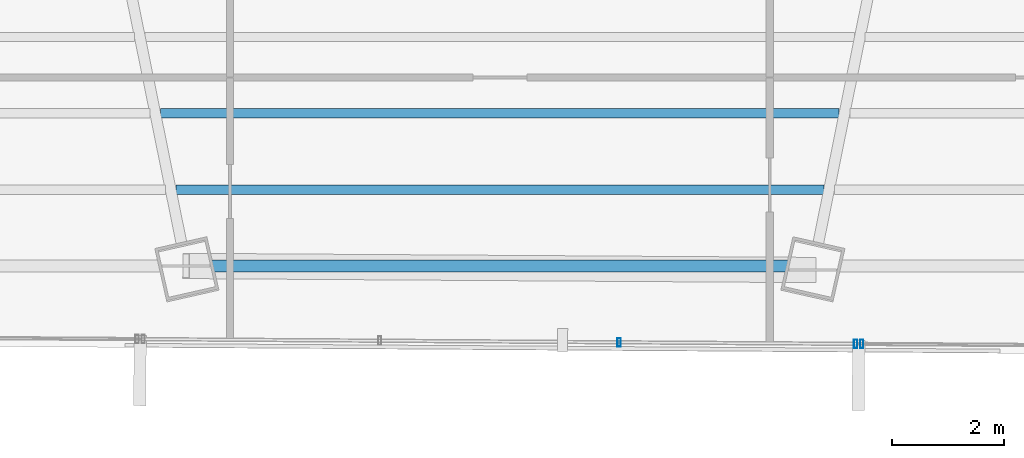
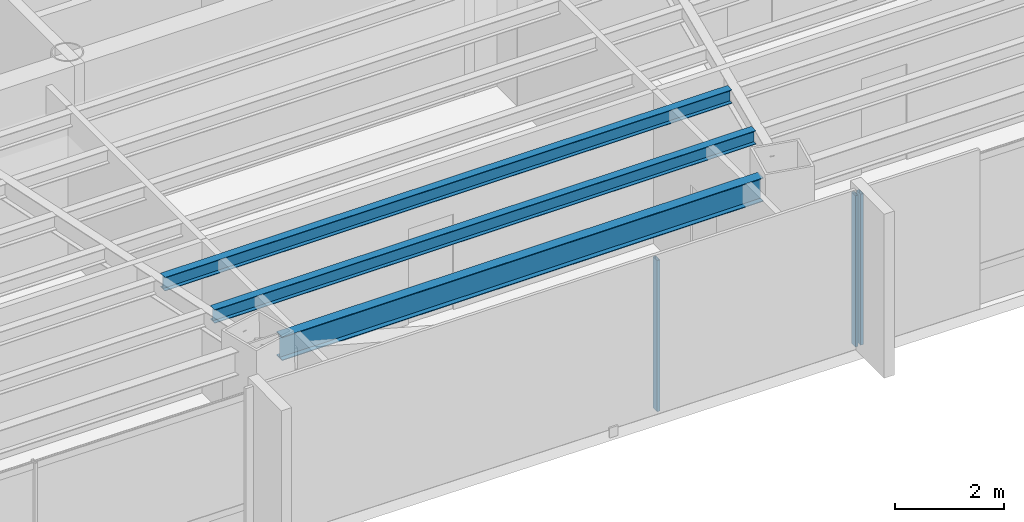
# One storey, part 10 of 41: 3 beams, 3 members, 2 elements without a shape of their own.
"""IFC4 building model written with IfcOpenShell, lengths in metres."""

from ifc_helpers import new_model, si_unit, direction, frame, origin, origin_2d, place, context, subcontext, project, spatial, hollow_rectangle, i_section, extrude, source, transform, mapped, material, material_profile, profile_set, type_object, type_shapes, element, aggregate, save


model = new_model("IFC4")

# Units and contexts
model_context = context("Model", 3, precision=1e-05, world=origin(), true_north=direction((0.0, 1.0)))
body_context = subcontext(model_context, "Body", "Model", "MODEL_VIEW")
ifc_project = project(units=[si_unit("LENGTHUNIT", "METRE"), si_unit("AREAUNIT", "SQUARE_METRE"), si_unit("VOLUMEUNIT", "CUBIC_METRE"), si_unit("PLANEANGLEUNIT", "RADIAN"), si_unit("MASSUNIT", "GRAM", prefix="KILO")], contexts=[model_context])

# Site, building, storey
site_placement = place(None, origin())
site = spatial("IfcSite", under=ifc_project, at=site_placement, CompositionType="ELEMENT")
building_placement = place(site_placement, origin())
building = spatial("IfcBuilding", under=site, at=building_placement, Name="Caelisora Broadcast Tower", CompositionType="ELEMENT")
storey_placement = place(building_placement, frame((0.0, 0.0, 180.39990234375)))
storey = spatial("IfcBuildingStorey", under=building, at=storey_placement, Name="L47", CompositionType="ELEMENT", Elevation=180.39990234375)

# Beams
ifc_material_1 = material(Name="Steel Grade 350 (AS/NZS 3679.1)", Category="steel")
ifc_material_profile_1 = material_profile(ifc_material_1, i_section(OverallWidth=0.208984375, OverallDepth=0.532958984375, WebThickness=0.01025390625, FlangeThickness=0.015625, at=origin_2d()), Name="Steel Grade 350 (AS/NZS 3679.1)")
ifc_profile_set_1 = profile_set([ifc_material_profile_1], Name="Steel Grade 350 (AS/NZS 3679.1)")
beam_type_1 = type_object("IfcBeamType", Name="PG05", PredefinedType="BEAM", material=ifc_profile_set_1)
shared_shape_1 = source(origin(), body_context, "Body", "SweptSolid", [
    extrude(i_section(OverallWidth=0.208984375, OverallDepth=0.532958984375, WebThickness=0.01025390625, FlangeThickness=0.015625, at=origin_2d()), origin(), (0.0, 0.0, 1.0), 10.23974609375),
])
type_shapes(beam_type_1, [shared_shape_1])
beam_1_placement = place(storey_placement, frame((32.880126953125, 7.89892578125, 3.133544921875), z_axis=(1.0, 0.0, 0.0), x_axis=(0.0, 1.0, 0.0)))
element("IfcBeam", 1, at=beam_1_placement, inside=storey, type_object=beam_type_1, Name="L47 beam PG05", PredefinedType="BEAM", context=body_context, shape_type="MappedRepresentation", body=[
    mapped(shared_shape_1, transform((0.0, 0.0, 0.0), scale=1.0)),
])
ifc_material_profile_2 = material_profile(ifc_material_1, i_section(OverallWidth=0.166015625, OverallDepth=0.30712890625, WebThickness=0.006591796875, FlangeThickness=0.01171875, at=origin_2d()), Name="Steel Grade 350 (AS/NZS 3679.1)")
ifc_profile_set_2 = profile_set([ifc_material_profile_2], Name="Steel Grade 350 (AS/NZS 3679.1)")
beam_type_2 = type_object("IfcBeamType", Name="SB03", PredefinedType="JOIST", material=ifc_profile_set_2)
shared_shape_2 = source(origin(), body_context, "Body", "SweptSolid", [
    extrude(i_section(OverallWidth=0.166015625, OverallDepth=0.30712890625, WebThickness=0.006591796875, FlangeThickness=0.01171875, at=origin_2d()), origin(), (0.0, 0.0, 1.0), 12.06787109375),
])
beam_2_placement = place(storey_placement, frame((31.966064453125, 10.613525390625, 3.24658203125), z_axis=(1.0, 0.0, 0.0), x_axis=(0.0, 1.0, 0.0)))
element("IfcBeam", 2, at=beam_2_placement, inside=storey, type_object=beam_type_2, Name="L47 beam SB03", PredefinedType="JOIST", context=body_context, shape_type="MappedRepresentation", body=[
    mapped(shared_shape_2, transform((0.0, 0.0, 0.0), scale=1.0)),
])
shared_shape_3 = source(origin(), body_context, "Body", "SweptSolid", [
    extrude(i_section(OverallWidth=0.166015625, OverallDepth=0.30712890625, WebThickness=0.006591796875, FlangeThickness=0.01171875, at=origin_2d()), origin(), (0.0, 0.0, 1.0), 11.51953125),
])
type_shapes(beam_type_2, [shared_shape_2, shared_shape_3])
beam_3_placement = place(storey_placement, frame((32.240234375, 9.256103515625, 3.24658203125), z_axis=(1.0, 0.0, 0.0), x_axis=(0.0, 1.0, 0.0)))
element("IfcBeam", 3, at=beam_3_placement, inside=storey, type_object=beam_type_2, Name="L47 beam SB03", PredefinedType="JOIST", context=body_context, shape_type="MappedRepresentation", body=[
    mapped(shared_shape_3, transform((0.0, 0.0, 0.0), scale=1.0)),
])

# Curtain wall, member
ifc_material_2 = material(Name="Unitised Aluminium and Low-E Glass Curtain Wall", Category="glass")
curtain_wall_type_1 = type_object("IfcCurtainWallType", Name="CW-Z3", PredefinedType="NOTDEFINED", material=ifc_material_2)
curtain_wall_1_placement = place(storey_placement, origin())
curtain_wall_1 = element("IfcCurtainWall", 4, at=curtain_wall_1_placement, inside=storey, type_object=curtain_wall_type_1, Name="L47 curtain wall CW-Z3", PredefinedType="NOTDEFINED")
ifc_material_3 = material(Name="Aluminium 6063-T6 Anodised Terracotta Bronze", Category="aluminium")
ifc_material_profile_3 = material_profile(ifc_material_3, hollow_rectangle(XDim=0.06005859375, YDim=0.14990234375, WallThickness=0.00341796875, at=origin_2d()), Name="Aluminium 6063-T6 Anodised Terracotta Bronze")
ifc_profile_set_3 = profile_set([ifc_material_profile_3], Name="Aluminium 6063-T6 Anodised Terracotta Bronze")
member_type = type_object("IfcMemberType", Name="CWM-03", PredefinedType="MULLION", material=ifc_profile_set_3)
shared_shape_4 = source(origin(), body_context, "Body", "SweptSolid", [
    extrude(hollow_rectangle(XDim=0.06005859375, YDim=0.14990234375, WallThickness=0.00341796875, at=origin_2d()), origin(), (0.0, 0.0, 1.0), 3.400146484375),
])
type_shapes(member_type, [shared_shape_4])
member_1_placement = place(storey_placement, frame((44.434814453125, 6.5126953125, 0.0), z_axis=(0.0, 0.0, 1.0), x_axis=(1.0, 0.0, 0.0)))
member_1 = element("IfcMember", 5, at=member_1_placement, type_object=member_type, Name="L47-CW-B05 mullion #3", PredefinedType="MULLION", context=body_context, shape_type="MappedRepresentation", body=[
    mapped(shared_shape_4, transform((0.0, 0.0, 0.0), scale=1.0)),
])
aggregate(curtain_wall_1, [member_1])

# Curtain wall, members
ifc_material_4 = material(Name="Unitised Aluminium Insulated Shadow-Box Spandrel Curtain Wall", Category="aluminium")
curtain_wall_type_2 = type_object("IfcCurtainWallType", Name="CW-SP2", PredefinedType="NOTDEFINED", material=ifc_material_4)
curtain_wall_2_placement = place(storey_placement, origin())
curtain_wall_2 = element("IfcCurtainWall", 6, at=curtain_wall_2_placement, inside=storey, type_object=curtain_wall_type_2, Name="L47 curtain wall CW-SP2", PredefinedType="NOTDEFINED")
member_2_placement = place(storey_placement, frame((44.32470703125, 6.513427734375, 0.0), z_axis=(0.0, 0.0, 1.0), x_axis=(1.0, 0.0, 0.0)))
member_2 = element("IfcMember", 7, at=member_2_placement, type_object=member_type, Name="L47-CW-B06 mullion #0", PredefinedType="MULLION", context=body_context, shape_type="MappedRepresentation", body=[
    mapped(shared_shape_4, transform((0.0, 0.0, 0.0), scale=1.0)),
])
member_3_placement = place(storey_placement, frame((40.119384765625, 6.541259765625, 0.0), z_axis=(0.0, 0.0, 1.0), x_axis=(1.0, 0.0, 0.0)))
member_3 = element("IfcMember", 8, at=member_3_placement, type_object=member_type, Name="L47-CW-B06 mullion #1", PredefinedType="MULLION", context=body_context, shape_type="MappedRepresentation", body=[
    mapped(shared_shape_4, transform((0.0, 0.0, 0.0), scale=1.0)),
])
aggregate(curtain_wall_2, [member_2, member_3])

save(model, "model.ifc")
